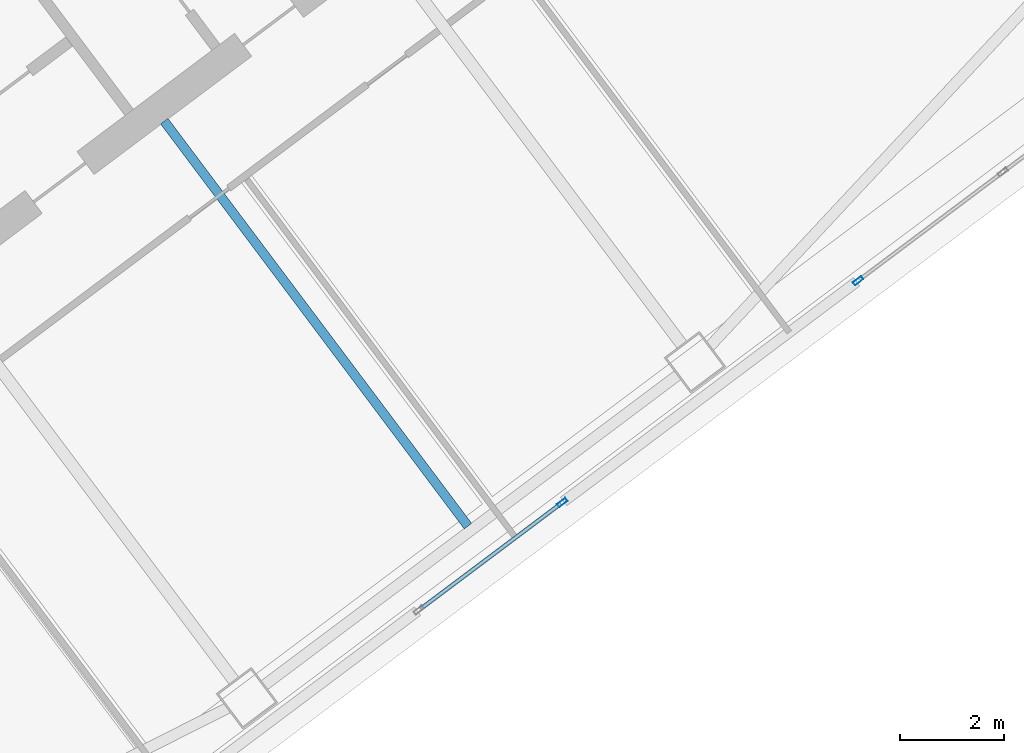
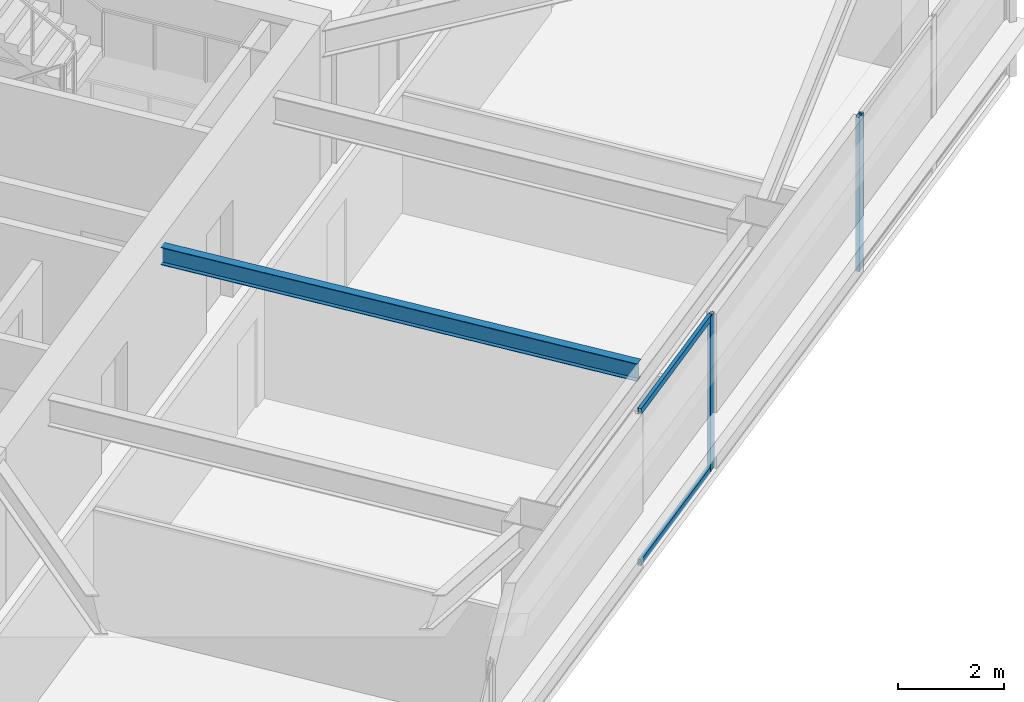
# One storey, part 24 of 44: 4 members, 1 beam, 2 elements without a shape of their own.
"""IFC4 building model written with IfcOpenShell, lengths in metres."""

from ifc_helpers import new_model, si_unit, direction, frame, origin, origin_2d, place, context, subcontext, project, spatial, hollow_rectangle, i_section, extrude, material, material_profile, profile_set, type_object, element, aggregate, save


model = new_model("IFC4")

# Units and contexts
model_context = context("Model", 3, precision=1e-05, world=origin(), true_north=direction((0.0, 1.0)))
body_context = subcontext(model_context, "Body", "Model", "MODEL_VIEW")
ifc_project = project(units=[si_unit("LENGTHUNIT", "METRE"), si_unit("AREAUNIT", "SQUARE_METRE"), si_unit("VOLUMEUNIT", "CUBIC_METRE"), si_unit("PLANEANGLEUNIT", "RADIAN"), si_unit("MASSUNIT", "GRAM", prefix="KILO")], contexts=[model_context])

# Site, building, storey
site_placement = place(None, origin())
site = spatial("IfcSite", under=ifc_project, at=site_placement, CompositionType="ELEMENT")
building_placement = place(site_placement, origin())
building = spatial("IfcBuilding", under=site, at=building_placement, Name="Tashvorn Skyway Center", CompositionType="ELEMENT")
storey_placement = place(building_placement, frame((0.0, 0.0, 128.60009765625)))
storey = spatial("IfcBuildingStorey", under=building, at=storey_placement, Name="L34", CompositionType="ELEMENT", Elevation=128.60009765625)

# Beam
ifc_material_1 = material(Name="Steel ASTM A992 Grade 50", Category="steel")
ifc_material_profile_1 = material_profile(ifc_material_1, i_section(OverallWidth=0.177978515625, OverallDepth=0.406005859375, WebThickness=0.0078125, FlangeThickness=0.0126953125, at=origin_2d()), Name="W16X40")
ifc_profile_set_1 = profile_set([ifc_material_profile_1], Name="Steel ASTM A992 Grade 50")
beam_type = type_object("IfcBeamType", Name="BM-JOIST-W16X40", PredefinedType="JOIST", material=ifc_profile_set_1)
beam_placement = place(storey_placement, frame((118.674072265625, 25.76806640625, 3.1669921875), z_axis=(0.599991997409, -0.800006001881, 0.0), x_axis=(0.800006001881, 0.599991997409, 0.0)))
element("IfcBeam", 1, at=beam_placement, inside=storey, type_object=beam_type, Name="Tower 2 L34 Secondary Composite Joist JS", PredefinedType="JOIST", context=body_context, shape_type="SweptSolid", body=[
    extrude(i_section(OverallWidth=0.177978515625, OverallDepth=0.406005859375, WebThickness=0.0078125, FlangeThickness=0.0126953125, at=origin_2d()), origin(), (0.0, 0.0, 1.0), 9.762451171875),
])

# Curtain wall, member
ifc_material_2 = material(Name="Thermally broken bronze-anodized aluminium 6063-T6", Category="aluminium")
curtain_wall_type = type_object("IfcCurtainWallType", Name="CW-CW-Z3", PredefinedType="NOTDEFINED", material=ifc_material_2)
curtain_wall_1_placement = place(storey_placement, origin())
curtain_wall_1 = element("IfcCurtainWall", 2, at=curtain_wall_1_placement, inside=storey, type_object=curtain_wall_type, Name="Tower 2 L34 South Unitised Curtain Wall Glazing Group 1", PredefinedType="NOTDEFINED")
ifc_material_profile_2 = material_profile(ifc_material_2, hollow_rectangle(XDim=0.074951171875, YDim=0.199951171875, WallThickness=0.00439453125, at=origin_2d()), Name="ALU-MULL-75x200")
ifc_profile_set_2 = profile_set([ifc_material_profile_2], Name="Thermally broken bronze-anodized aluminium 6063-T6")
member_type_1 = type_object("IfcMemberType", Name="CWM-CW-Z3", PredefinedType="MULLION", material=ifc_profile_set_2)
member_1_placement = place(storey_placement, frame((132.055908203125, 22.69189453125, 0.0), z_axis=(0.0, 0.0, 1.0), x_axis=(0.600004533995, -0.799996599484, 0.0)))
member_1 = element("IfcMember", 3, at=member_1_placement, type_object=member_type_1, Name="CW-Z3 mullion 3", PredefinedType="MULLION", context=body_context, shape_type="SweptSolid", body=[
    extrude(hollow_rectangle(XDim=0.074951171875, YDim=0.199951171875, WallThickness=0.00439453125, at=origin_2d()), origin(), (0.0, 0.0, 1.0), 3.5498046875),
])
aggregate(curtain_wall_1, [member_1])

# Curtain wall, members
curtain_wall_2_placement = place(storey_placement, origin())
curtain_wall_2 = element("IfcCurtainWall", 4, at=curtain_wall_2_placement, inside=storey, type_object=curtain_wall_type, Name="Tower 2 L34 South Unitised Curtain Wall Glazing Group 2", PredefinedType="NOTDEFINED")
member_2_placement = place(storey_placement, frame((126.349609375, 18.412109375, 0.0), z_axis=(0.0, 0.0, 1.0), x_axis=(0.600000000002, -0.799999999998, 0.0)))
member_2 = element("IfcMember", 5, at=member_2_placement, type_object=member_type_1, Name="CW-Z3 mullion 1", PredefinedType="MULLION", context=body_context, shape_type="SweptSolid", body=[
    extrude(hollow_rectangle(XDim=0.074951171875, YDim=0.199951171875, WallThickness=0.00439453125, at=origin_2d()), origin(), (0.0, 0.0, 1.0), 3.5498046875),
])
ifc_material_profile_3 = material_profile(ifc_material_2, hollow_rectangle(XDim=0.074951171875, YDim=0.139892578125, WallThickness=0.004150390625, at=origin_2d()), Name="ALU-TRAN-75x140")
ifc_profile_set_3 = profile_set([ifc_material_profile_3], Name="Thermally broken bronze-anodized aluminium 6063-T6")
member_type_2 = type_object("IfcMemberType", Name="CWT-CW-Z3", PredefinedType="USERDEFINED", material=ifc_profile_set_3)
member_3_placement = place(storey_placement, frame((126.319580078125, 18.3896484375, 0.037353515625), z_axis=(-0.8, -0.6, 0.0), x_axis=(0.6, -0.8, 0.0)))
member_3 = element("IfcMember", 6, at=member_3_placement, type_object=member_type_2, Name="CW-Z3 transom 1.1", ObjectType="TRANSOM", PredefinedType="USERDEFINED", context=body_context, shape_type="SweptSolid", body=[
    extrude(hollow_rectangle(XDim=0.074951171875, YDim=0.139892578125, WallThickness=0.004150390625, at=origin_2d()), origin(), (0.0, 0.0, 1.0), 3.37890625),
])
member_4_placement = place(storey_placement, frame((126.319580078125, 18.3896484375, 3.512451171875), z_axis=(-0.8, -0.6, 0.0), x_axis=(0.6, -0.8, 0.0)))
member_4 = element("IfcMember", 7, at=member_4_placement, type_object=member_type_2, Name="CW-Z3 transom 1.2", ObjectType="TRANSOM", PredefinedType="USERDEFINED", context=body_context, shape_type="SweptSolid", body=[
    extrude(hollow_rectangle(XDim=0.074951171875, YDim=0.139892578125, WallThickness=0.004150390625, at=origin_2d()), origin(), (0.0, 0.0, 1.0), 3.37890625),
])
aggregate(curtain_wall_2, [member_2, member_3, member_4])

save(model, "model.ifc")
